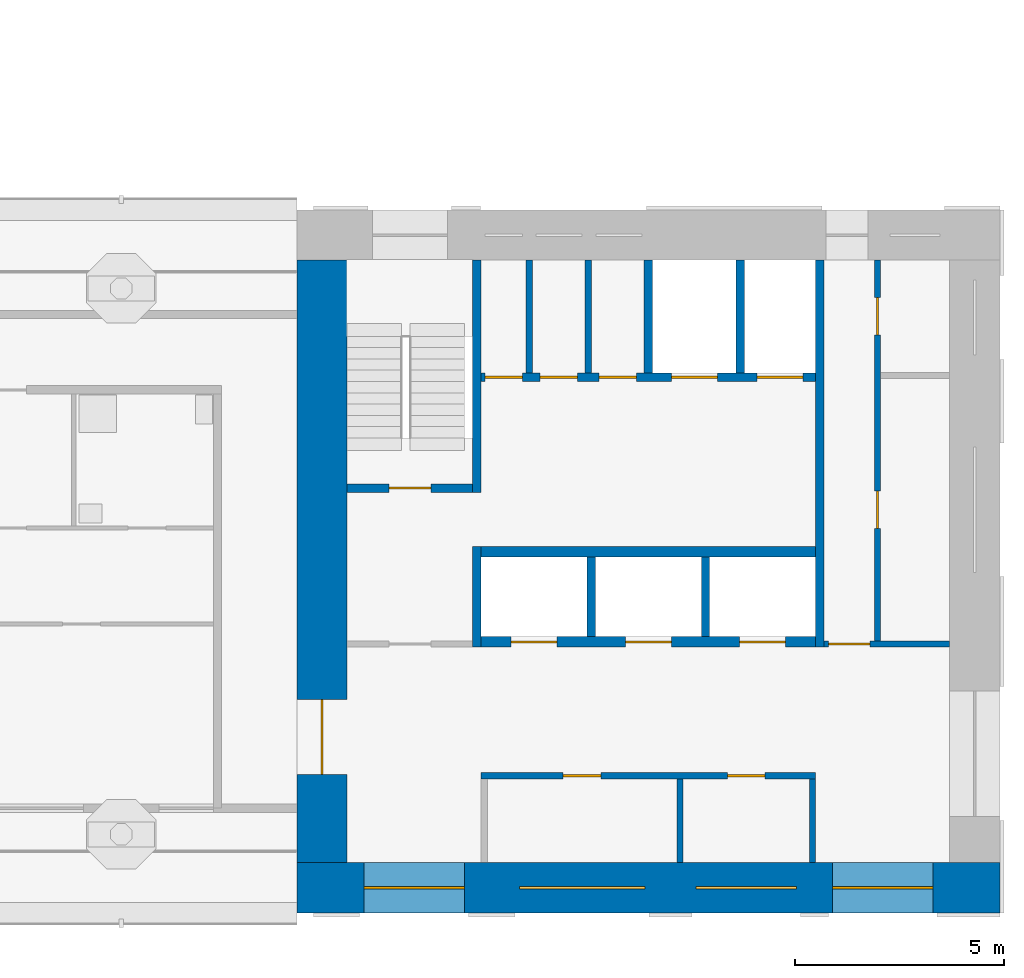
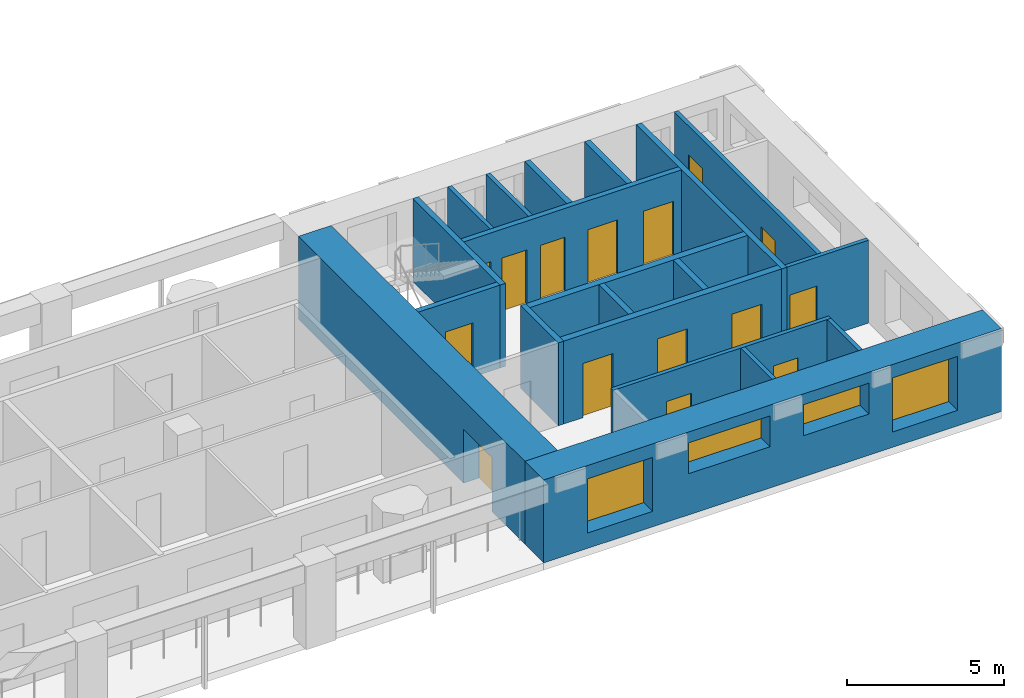
# One storey, part 4 of 12: 20 walls, 15 doors, 4 windows, 19 openings.
"""IFC4 building model written with IfcOpenShell, lengths in metres."""

from ifc_helpers import new_model, si_unit, direction, frame, frame_2d, origin, place, context, subcontext, project, spatial, rectangle, extrude, material, layer, layer_set, type_object, element, fill, save


model = new_model("IFC4")

# Units and contexts
model_context = context("Model", 3, precision=1e-05, world=origin(), true_north=direction((0.0, 1.0)))
body_context = subcontext(model_context, "Body", "Model", "MODEL_VIEW")
ifc_project = project(units=[si_unit("LENGTHUNIT", "METRE"), si_unit("AREAUNIT", "SQUARE_METRE"), si_unit("VOLUMEUNIT", "CUBIC_METRE"), si_unit("PLANEANGLEUNIT", "RADIAN"), si_unit("MASSUNIT", "GRAM", prefix="KILO")], contexts=[model_context])

# Site, building, storey
site_placement = place(None, origin())
site = spatial("IfcSite", under=ifc_project, at=site_placement, CompositionType="ELEMENT")
building_placement = place(site_placement, origin())
building = spatial("IfcBuilding", under=site, at=building_placement, Name="Vermilion Gate Residences", CompositionType="ELEMENT")
storey_placement = place(building_placement, frame((0.0, 0.0, 221.199951171875)))
storey = spatial("IfcBuildingStorey", under=building, at=storey_placement, Name="L57", CompositionType="ELEMENT", Elevation=221.199951171875)

# Walls
ifc_material_1 = material(Name="Masonry blockwork", Category="masonry")
ifc_layer_1 = layer(ifc_material_1, 0.14990234375)
ifc_layer_set_1 = layer_set([ifc_layer_1], Name="BLOCKWORK PARTITION 150 EI 120")
wall_type_1 = type_object("IfcWallType", Name="BLOCKWORK PARTITION 150 EI 120", PredefinedType="PARTITIONING", material=ifc_layer_set_1)
for number, where, z_axis, x_axis, name in (
    (1, (54.324951171875, 9.60009765625, 0.0), (0.0, 0.0, 1.0), (0.0, 1.0, 0.0), "Core room partition A57-RW-E"),
    (2, (51.155029296875, 9.60009765625, 0.0), (0.0, 0.0, 1.0), (0.0, 1.0, 0.0), "Core room partition A57-SR-P0"),
):
    element("IfcWall", number, at=place(storey_placement, frame(where, z_axis=z_axis, x_axis=x_axis)), inside=storey, type_object=wall_type_1, Name=name, PredefinedType="PARTITIONING", context=body_context, shape_type="SweptSolid", body=[
        extrude(rectangle(XDim=2.0, YDim=0.14990234375, at=frame_2d((1.0, 0.0))), origin(), (0.0, 0.0, 1.0), 3.219970703125),
    ])

# Wall, openings, doors
wall_1_placement = place(storey_placement, frame((46.39990234375, 11.675048828125, 0.0), z_axis=(0.0, 0.0, 1.0), x_axis=(1.0, 0.0, 0.0)))
wall_1 = element("IfcWall", 3, at=wall_1_placement, inside=storey, type_object=wall_type_1, Name="Core room partition A57-LR-F", PredefinedType="PARTITIONING", context=body_context, shape_type="SweptSolid", body=[
    extrude(rectangle(XDim=8.0, YDim=0.14990234375, at=frame_2d((4.0, 0.0))), origin(), (0.0, 0.0, 1.0), 3.219970703125),
])
opening_1_placement = place(wall_1_placement, frame((1.965087890625, 0.0, 0.0)))
opening_1 = element("IfcOpeningElement", 4, at=opening_1_placement, cuts=wall_1, Name="Opening DK57002", PredefinedType="OPENING", context=body_context, shape_type="SweptSolid", body=[
    extrude(rectangle(XDim=0.89990234375, YDim=2.10009765625, at=frame_2d((0.449951171875, 1.050048828125))), frame((0.0, 0.0849609375, 0.0), z_axis=(0.0, -1.0, 0.0), x_axis=(1.0, 0.0, 0.0)), (0.0, 0.0, 1.0), 0.169921875),
])
opening_2_placement = place(wall_1_placement, frame((5.889892578125, 0.0, 0.0)))
opening_2 = element("IfcOpeningElement", 5, at=opening_2_placement, cuts=wall_1, Name="Opening DK57003", PredefinedType="OPENING", context=body_context, shape_type="SweptSolid", body=[
    extrude(rectangle(XDim=0.89990234375, YDim=2.10009765625, at=frame_2d((0.449951171875, 1.050048828125))), frame((0.0, 0.0849609375, 0.0), z_axis=(0.0, -1.0, 0.0), x_axis=(1.0, 0.0, 0.0)), (0.0, 0.0, 1.0), 0.169921875),
])
ifc_material_2 = material(Name="Steel", Category="steel")
door_type_1 = type_object("IfcDoorType", Name="SERVICE ROOM DOOR FD60 900 X 2100", OperationType="SINGLE_SWING_LEFT", PredefinedType="DOOR", material=ifc_material_2)
door_1_placement = place(opening_1_placement, frame((0.89990234375, 0.0, 0.0), z_axis=(0.0, 0.0, 1.0), x_axis=(-1.0, 0.0, 0.0)))
door_1 = element("IfcDoor", 6, at=door_1_placement, inside=storey, type_object=door_type_1, Name="Housekeeping store A57", OperationType="SINGLE_SWING_RIGHT", OverallHeight=2.10009765625, OverallWidth=0.89990234375, PredefinedType="DOOR", context=body_context, shape_type="SweptSolid", body=[
    extrude(rectangle(XDim=0.89990234375, YDim=2.10009765625, at=frame_2d((0.449951171875, 1.050048828125))), frame((0.0, 0.02490234375, 0.0), z_axis=(0.0, -1.0, 0.0), x_axis=(1.0, 0.0, 0.0)), (0.0, 0.0, 1.0), 0.050048828125),
])
fill(opening_1, door_1)
door_2_placement = place(opening_2_placement, frame((0.89990234375, 0.0, 0.0), z_axis=(0.0, 0.0, 1.0), x_axis=(-1.0, 0.0, 0.0)))
door_2 = element("IfcDoor", 7, at=door_2_placement, inside=storey, type_object=door_type_1, Name="Fire equipment store A57", OperationType="SINGLE_SWING_RIGHT", OverallHeight=2.10009765625, OverallWidth=0.89990234375, PredefinedType="DOOR", context=body_context, shape_type="SweptSolid", body=[
    extrude(rectangle(XDim=0.89990234375, YDim=2.10009765625, at=frame_2d((0.449951171875, 1.050048828125))), frame((0.0, 0.02490234375, 0.0), z_axis=(0.0, -1.0, 0.0), x_axis=(1.0, 0.0, 0.0)), (0.0, 0.0, 1.0), 0.050048828125),
])
fill(opening_2, door_2)

# Walls
for number, where, z_axis, x_axis, name in (
    (8, (47.554931640625, 21.300048828125, 0.0), (0.0, 0.0, 1.0), (0.0, 1.0, 0.0), "Core room partition A57-NR-P0"),
    (9, (48.965087890625, 21.300048828125, 0.0), (0.0, 0.0, 1.0), (0.0, 1.0, 0.0), "Core room partition A57-NR-P1"),
):
    element("IfcWall", number, at=place(storey_placement, frame(where, z_axis=z_axis, x_axis=x_axis)), inside=storey, type_object=wall_type_1, Name=name, PredefinedType="PARTITIONING", context=body_context, shape_type="SweptSolid", body=[
        extrude(rectangle(XDim=2.699951171875, YDim=0.14990234375, at=frame_2d((1.35009765625, 0.0))), origin(), (0.0, 0.0, 1.0), 3.219970703125),
    ])

# Wall, opening, door
wall_2_placement = place(storey_placement, frame((54.60009765625, 14.824951171875, 0.0), z_axis=(0.0, 0.0, 1.0), x_axis=(1.0, 0.0, 0.0)))
wall_2 = element("IfcWall", 10, at=wall_2_placement, inside=storey, type_object=wall_type_1, Name="Core room partition A57-ES-S", PredefinedType="PARTITIONING", context=body_context, shape_type="SweptSolid", body=[
    extrude(rectangle(XDim=3.0, YDim=0.14990234375, at=frame_2d((1.5, 0.0))), origin(), (0.0, 0.0, 1.0), 3.219970703125),
])
opening_3_placement = place(wall_2_placement, frame((0.10009765625, 0.0, 0.0)))
opening_3 = element("IfcOpeningElement", 11, at=opening_3_placement, cuts=wall_2, Name="Opening DK57014", PredefinedType="OPENING", context=body_context, shape_type="SweptSolid", body=[
    extrude(rectangle(XDim=1.0, YDim=2.10009765625, at=frame_2d((0.5, 1.050048828125))), frame((0.0, 0.0849609375, 0.0), z_axis=(0.0, -1.0, 0.0), x_axis=(1.0, 0.0, 0.0)), (0.0, 0.0, 1.0), 0.169921875),
])
ifc_material_3 = material(Name="Steel", Category="steel")
door_type_2 = type_object("IfcDoorType", Name="FIRE DOOR FD60 1000 X 2100", OperationType="SINGLE_SWING_LEFT", PredefinedType="DOOR", material=ifc_material_3)
door_3_placement = place(opening_3_placement, frame((1.0, 0.0, 0.0), z_axis=(0.0, 0.0, 1.0), x_axis=(-1.0, 0.0, 0.0)))
door_3 = element("IfcDoor", 12, at=door_3_placement, inside=storey, type_object=door_type_2, Name="Service corridor door A57", OperationType="SINGLE_SWING_LEFT", OverallHeight=2.10009765625, OverallWidth=1.0, PredefinedType="DOOR", context=body_context, shape_type="SweptSolid", body=[
    extrude(rectangle(XDim=1.0, YDim=2.10009765625, at=frame_2d((0.5, 1.050048828125))), frame((0.0, 0.02490234375, 0.0), z_axis=(0.0, -1.0, 0.0), x_axis=(1.0, 0.0, 0.0)), (0.0, 0.0, 1.0), 0.050048828125),
])
fill(opening_3, door_3)

# Wall, openings, doors
wall_3_placement = place(storey_placement, frame((55.875, 14.89990234375, 0.0), z_axis=(0.0, 0.0, 1.0), x_axis=(0.0, 1.0, 0.0)))
wall_3 = element("IfcWall", 13, at=wall_3_placement, inside=storey, type_object=wall_type_1, Name="Core room partition A57-ES-W", PredefinedType="PARTITIONING", context=body_context, shape_type="SweptSolid", body=[
    extrude(rectangle(XDim=9.10009765625, YDim=0.14990234375, at=frame_2d((4.550048828125, 0.0))), origin(), (0.0, 0.0, 1.0), 3.219970703125),
])
opening_4_placement = place(wall_3_placement, frame((2.6826171875, 0.0, 0.0)))
opening_4 = element("IfcOpeningElement", 14, at=opening_4_placement, cuts=wall_3, Name="Opening DK57015", PredefinedType="OPENING", context=body_context, shape_type="SweptSolid", body=[
    extrude(rectangle(XDim=0.89990234375, YDim=2.10009765625, at=frame_2d((0.449951171875, 1.050048828125))), frame((0.0, 0.0849609375, 0.0), z_axis=(0.0, -1.0, 0.0), x_axis=(1.0, 0.0, 0.0)), (0.0, 0.0, 1.0), 0.169921875),
])
opening_5_placement = place(wall_3_placement, frame((7.3076171875, 0.0, 0.0)))
opening_5 = element("IfcOpeningElement", 15, at=opening_5_placement, cuts=wall_3, Name="Opening DK57016", PredefinedType="OPENING", context=body_context, shape_type="SweptSolid", body=[
    extrude(rectangle(XDim=0.89990234375, YDim=2.10009765625, at=frame_2d((0.449951171875, 1.050048828125))), frame((0.0, 0.0849609375, 0.0), z_axis=(0.0, -1.0, 0.0), x_axis=(1.0, 0.0, 0.0)), (0.0, 0.0, 1.0), 0.169921875),
])
door_4_placement = place(opening_4_placement, frame((0.89990234375, 0.0, 0.0), z_axis=(0.0, 0.0, 1.0), x_axis=(-1.0, 0.0, 0.0)))
door_4 = element("IfcDoor", 16, at=door_4_placement, inside=storey, type_object=door_type_1, Name="Electrical room A57", OperationType="SINGLE_SWING_LEFT", OverallHeight=2.10009765625, OverallWidth=0.89990234375, PredefinedType="DOOR", context=body_context, shape_type="SweptSolid", body=[
    extrude(rectangle(XDim=0.89990234375, YDim=2.10009765625, at=frame_2d((0.449951171875, 1.050048828125))), frame((0.0, 0.02490234375, 0.0), z_axis=(0.0, -1.0, 0.0), x_axis=(1.0, 0.0, 0.0)), (0.0, 0.0, 1.0), 0.050048828125),
])
fill(opening_4, door_4)
door_5_placement = place(opening_5_placement, frame((0.89990234375, 0.0, 0.0), z_axis=(0.0, 0.0, 1.0), x_axis=(-1.0, 0.0, 0.0)))
door_5 = element("IfcDoor", 17, at=door_5_placement, inside=storey, type_object=door_type_1, Name="Storage room A57", OperationType="SINGLE_SWING_LEFT", OverallHeight=2.10009765625, OverallWidth=0.89990234375, PredefinedType="DOOR", context=body_context, shape_type="SweptSolid", body=[
    extrude(rectangle(XDim=0.89990234375, YDim=2.10009765625, at=frame_2d((0.449951171875, 1.050048828125))), frame((0.0, 0.02490234375, 0.0), z_axis=(0.0, -1.0, 0.0), x_axis=(1.0, 0.0, 0.0)), (0.0, 0.0, 1.0), 0.050048828125),
])
fill(opening_5, door_5)

# Walls
ifc_material_4 = material(Name="Concrete C60", Category="concrete")
ifc_layer_2 = layer(ifc_material_4, 0.199951171875)
ifc_layer_set_2 = layer_set([ifc_layer_2], Name="RC CORE INTERNAL WALL 200 C60")
wall_type_2 = type_object("IfcWallType", Name="RC CORE INTERNAL WALL 200 C60", PredefinedType="SHEAR", material=ifc_layer_set_2)
for number, where, z_axis, x_axis, name in (
    (18, (49.033447265625, 15.0, 0.0), (0.0, 0.0, 1.0), (0.0, 1.0, 0.0), "Core internal wall A57-HR-D1"),
    (19, (51.7666015625, 15.0, 0.0), (0.0, 0.0, 1.0), (0.0, 1.0, 0.0), "Core internal wall A57-HR-D2"),
):
    element("IfcWall", number, at=place(storey_placement, frame(where, z_axis=z_axis, x_axis=x_axis)), inside=storey, type_object=wall_type_2, Name=name, PredefinedType="SHEAR", context=body_context, shape_type="SweptSolid", body=[
        extrude(rectangle(XDim=1.89990234375, YDim=0.199951171875, at=frame_2d((0.949951171875, 0.0))), origin(), (0.0, 0.0, 1.0), 3.219970703125),
    ])
for number, where, z_axis, x_axis, name in (
    (20, (50.39990234375, 21.300048828125, 0.0), (0.0, 0.0, 1.0), (0.0, 1.0, 0.0), "Core internal wall A57-FF-D0"),
    (21, (52.60009765625, 21.300048828125, 0.0), (0.0, 0.0, 1.0), (0.0, 1.0, 0.0), "Core internal wall A57-FF-D1"),
):
    element("IfcWall", number, at=place(storey_placement, frame(where, z_axis=z_axis, x_axis=x_axis)), inside=storey, type_object=wall_type_2, Name=name, PredefinedType="SHEAR", context=body_context, shape_type="SweptSolid", body=[
        extrude(rectangle(XDim=2.699951171875, YDim=0.199951171875, at=frame_2d((1.35009765625, 0.0))), origin(), (0.0, 0.0, 1.0), 3.219970703125),
    ])

# Wall, openings, doors
wall_4_placement = place(storey_placement, frame((46.39990234375, 21.199951171875, 0.0), z_axis=(0.0, 0.0, 1.0), x_axis=(1.0, 0.0, 0.0)))
wall_4 = element("IfcWall", 22, at=wall_4_placement, inside=storey, type_object=wall_type_2, Name="Core internal wall A57-FF-F", PredefinedType="SHEAR", context=body_context, shape_type="SweptSolid", body=[
    extrude(rectangle(XDim=8.0, YDim=0.199951171875, at=frame_2d((4.0, 0.0))), origin(), (0.0, 0.0, 1.0), 3.219970703125),
])
opening_6_placement = place(wall_4_placement, frame((0.090087890625, 0.0, 0.0)))
opening_6 = element("IfcOpeningElement", 23, at=opening_6_placement, cuts=wall_4, Name="Opening DK57007", PredefinedType="OPENING", context=body_context, shape_type="SweptSolid", body=[
    extrude(rectangle(XDim=0.89990234375, YDim=2.10009765625, at=frame_2d((0.449951171875, 1.050048828125))), frame((0.0, 0.10986328125, 0.0), z_axis=(0.0, -1.0, 0.0), x_axis=(1.0, 0.0, 0.0)), (0.0, 0.0, 1.0), 0.219970703125),
])
opening_7_placement = place(wall_4_placement, frame((1.409912109375, 0.0, 0.0)))
opening_7 = element("IfcOpeningElement", 24, at=opening_7_placement, cuts=wall_4, Name="Opening DK57008", PredefinedType="OPENING", context=body_context, shape_type="SweptSolid", body=[
    extrude(rectangle(XDim=0.89990234375, YDim=2.10009765625, at=frame_2d((0.449951171875, 1.050048828125))), frame((0.0, 0.10986328125, 0.0), z_axis=(0.0, -1.0, 0.0), x_axis=(1.0, 0.0, 0.0)), (0.0, 0.0, 1.0), 0.219970703125),
])
opening_8_placement = place(wall_4_placement, frame((2.820068359375, 0.0, 0.0)))
opening_8 = element("IfcOpeningElement", 25, at=opening_8_placement, cuts=wall_4, Name="Opening DK57009", PredefinedType="OPENING", context=body_context, shape_type="SweptSolid", body=[
    extrude(rectangle(XDim=0.89990234375, YDim=2.10009765625, at=frame_2d((0.449951171875, 1.050048828125))), frame((0.0, 0.10986328125, 0.0), z_axis=(0.0, -1.0, 0.0), x_axis=(1.0, 0.0, 0.0)), (0.0, 0.0, 1.0), 0.219970703125),
])
opening_9_placement = place(wall_4_placement, frame((4.550048828125, 0.0, 0.0)))
opening_9 = element("IfcOpeningElement", 26, at=opening_9_placement, cuts=wall_4, Name="Opening LD", PredefinedType="OPENING", context=body_context, shape_type="SweptSolid", body=[
    extrude(rectangle(XDim=1.10009765625, YDim=2.10009765625, at=frame_2d((0.550048828125, 1.050048828125))), frame((0.0, 0.10986328125, 0.0), z_axis=(0.0, -1.0, 0.0), x_axis=(1.0, 0.0, 0.0)), (0.0, 0.0, 1.0), 0.219970703125),
])
opening_10_placement = place(wall_4_placement, frame((6.60009765625, 0.0, 0.0)))
opening_10 = element("IfcOpeningElement", 27, at=opening_10_placement, cuts=wall_4, Name="Opening LD", PredefinedType="OPENING", context=body_context, shape_type="SweptSolid", body=[
    extrude(rectangle(XDim=1.10009765625, YDim=2.10009765625, at=frame_2d((0.550048828125, 1.050048828125))), frame((0.0, 0.10986328125, 0.0), z_axis=(0.0, -1.0, 0.0), x_axis=(1.0, 0.0, 0.0)), (0.0, 0.0, 1.0), 0.219970703125),
])
ifc_material_5 = material(Name="Stainless steel", Category="steel")
door_type_3 = type_object("IfcDoorType", Name="LIFT LANDING DOOR E60 1100 X 2100", OperationType="DOUBLE_DOOR_SLIDING", PredefinedType="DOOR", material=ifc_material_5)
door_6_placement = place(opening_9_placement, origin())
door_6 = element("IfcDoor", 28, at=door_6_placement, inside=storey, type_object=door_type_3, Name="Lift landing door LFA1", OperationType="DOUBLE_DOOR_SLIDING", OverallHeight=2.10009765625, OverallWidth=1.10009765625, PredefinedType="DOOR", context=body_context, shape_type="SweptSolid", body=[
    extrude(rectangle(XDim=1.10009765625, YDim=2.10009765625, at=frame_2d((0.550048828125, 1.050048828125))), frame((0.0, 0.02490234375, 0.0), z_axis=(0.0, -1.0, 0.0), x_axis=(1.0, 0.0, 0.0)), (0.0, 0.0, 1.0), 0.050048828125),
])
fill(opening_9, door_6)
door_7_placement = place(opening_10_placement, origin())
door_7 = element("IfcDoor", 29, at=door_7_placement, inside=storey, type_object=door_type_3, Name="Lift landing door LCA1", OperationType="DOUBLE_DOOR_SLIDING", OverallHeight=2.10009765625, OverallWidth=1.10009765625, PredefinedType="DOOR", context=body_context, shape_type="SweptSolid", body=[
    extrude(rectangle(XDim=1.10009765625, YDim=2.10009765625, at=frame_2d((0.550048828125, 1.050048828125))), frame((0.0, 0.02490234375, 0.0), z_axis=(0.0, -1.0, 0.0), x_axis=(1.0, 0.0, 0.0)), (0.0, 0.0, 1.0), 0.050048828125),
])
fill(opening_10, door_7)
door_8_placement = place(opening_6_placement, origin())
door_8 = element("IfcDoor", 30, at=door_8_placement, inside=storey, type_object=door_type_1, Name="Parcel room A57", OperationType="SINGLE_SWING_RIGHT", OverallHeight=2.10009765625, OverallWidth=0.89990234375, PredefinedType="DOOR", context=body_context, shape_type="SweptSolid", body=[
    extrude(rectangle(XDim=0.89990234375, YDim=2.10009765625, at=frame_2d((0.449951171875, 1.050048828125))), frame((0.0, 0.02490234375, 0.0), z_axis=(0.0, -1.0, 0.0), x_axis=(1.0, 0.0, 0.0)), (0.0, 0.0, 1.0), 0.050048828125),
])
fill(opening_6, door_8)
door_9_placement = place(opening_7_placement, frame((0.89990234375, 0.0, 0.0), z_axis=(0.0, 0.0, 1.0), x_axis=(-1.0, 0.0, 0.0)))
door_9 = element("IfcDoor", 31, at=door_9_placement, inside=storey, type_object=door_type_1, Name="Electrical room A57", OperationType="SINGLE_SWING_RIGHT", OverallHeight=2.10009765625, OverallWidth=0.89990234375, PredefinedType="DOOR", context=body_context, shape_type="SweptSolid", body=[
    extrude(rectangle(XDim=0.89990234375, YDim=2.10009765625, at=frame_2d((0.449951171875, 1.050048828125))), frame((0.0, 0.02490234375, 0.0), z_axis=(0.0, -1.0, 0.0), x_axis=(1.0, 0.0, 0.0)), (0.0, 0.0, 1.0), 0.050048828125),
])
fill(opening_7, door_9)
door_10_placement = place(opening_8_placement, origin())
door_10 = element("IfcDoor", 32, at=door_10_placement, inside=storey, type_object=door_type_1, Name="Housekeeping store A57", OperationType="SINGLE_SWING_LEFT", OverallHeight=2.10009765625, OverallWidth=0.89990234375, PredefinedType="DOOR", context=body_context, shape_type="SweptSolid", body=[
    extrude(rectangle(XDim=0.89990234375, YDim=2.10009765625, at=frame_2d((0.449951171875, 1.050048828125))), frame((0.0, 0.02490234375, 0.0), z_axis=(0.0, -1.0, 0.0), x_axis=(1.0, 0.0, 0.0)), (0.0, 0.0, 1.0), 0.050048828125),
])
fill(opening_8, door_10)

# Walls
wall_5_placement = place(storey_placement, frame((46.300048828125, 14.75, 0.0), z_axis=(0.0, 0.0, 1.0), x_axis=(0.0, 1.0, 0.0)))
element("IfcWall", 33, at=wall_5_placement, inside=storey, type_object=wall_type_2, Name="Core internal wall A57-WDIV1", PredefinedType="SHEAR", context=body_context, shape_type="SweptSolid", body=[
    extrude(rectangle(XDim=2.39990234375, YDim=0.199951171875, at=frame_2d((1.199951171875, 0.0))), origin(), (0.0, 0.0, 1.0), 3.219970703125),
])
wall_6_placement = place(storey_placement, frame((46.300048828125, 18.449951171875, 0.0), z_axis=(0.0, 0.0, 1.0), x_axis=(0.0, 1.0, 0.0)))
element("IfcWall", 34, at=wall_6_placement, inside=storey, type_object=wall_type_2, Name="Core internal wall A57-WDIV2", PredefinedType="SHEAR", context=body_context, shape_type="SweptSolid", body=[
    extrude(rectangle(XDim=5.550048828125, YDim=0.199951171875, at=frame_2d((2.77490234375, 0.0))), origin(), (0.0, 0.0, 1.0), 3.219970703125),
])

# Wall, opening, door
wall_7_placement = place(storey_placement, frame((43.199951171875, 18.550048828125, 0.0), z_axis=(0.0, 0.0, 1.0), x_axis=(1.0, 0.0, 0.0)))
wall_7 = element("IfcWall", 35, at=wall_7_placement, inside=storey, type_object=wall_type_2, Name="Core internal wall A57-STW-S", PredefinedType="SHEAR", context=body_context, shape_type="SweptSolid", body=[
    extrude(rectangle(XDim=3.0, YDim=0.199951171875, at=frame_2d((1.5, 0.0))), origin(), (0.0, 0.0, 1.0), 3.219970703125),
])
opening_11_placement = place(wall_7_placement, frame((1.0, 0.0, 0.0)))
opening_11 = element("IfcOpeningElement", 36, at=opening_11_placement, cuts=wall_7, Name="Opening DK57013", PredefinedType="OPENING", context=body_context, shape_type="SweptSolid", body=[
    extrude(rectangle(XDim=1.0, YDim=2.10009765625, at=frame_2d((0.5, 1.050048828125))), frame((0.0, 0.10986328125, 0.0), z_axis=(0.0, -1.0, 0.0), x_axis=(1.0, 0.0, 0.0)), (0.0, 0.0, 1.0), 0.219970703125),
])
door_11_placement = place(opening_11_placement, origin())
door_11 = element("IfcDoor", 37, at=door_11_placement, inside=storey, type_object=door_type_2, Name="Stair door A57", OperationType="SINGLE_SWING_LEFT", OverallHeight=2.10009765625, OverallWidth=1.0, PredefinedType="DOOR", context=body_context, shape_type="SweptSolid", body=[
    extrude(rectangle(XDim=1.0, YDim=2.10009765625, at=frame_2d((0.5, 1.050048828125))), frame((0.0, 0.02490234375, 0.0), z_axis=(0.0, -1.0, 0.0), x_axis=(1.0, 0.0, 0.0)), (0.0, 0.0, 1.0), 0.050048828125),
])
fill(opening_11, door_11)

# Wall
wall_8_placement = place(storey_placement, frame((54.5, 14.75, 0.0), z_axis=(0.0, 0.0, 1.0), x_axis=(0.0, 1.0, 0.0)))
element("IfcWall", 38, at=wall_8_placement, inside=storey, type_object=wall_type_2, Name="Core internal wall A57-EDIV", PredefinedType="SHEAR", context=body_context, shape_type="SweptSolid", body=[
    extrude(rectangle(XDim=9.25, YDim=0.199951171875, at=frame_2d((4.625, 0.0))), origin(), (0.0, 0.0, 1.0), 3.219970703125),
])

# Wall, opening, door
ifc_material_6 = material(Name="Concrete C50", Category="concrete")
ifc_layer_3 = layer(ifc_material_6, 1.199951171875)
ifc_layer_set_3 = layer_set([ifc_layer_3], Name="RC CORE WALL 1200 C50")
wall_type_3 = type_object("IfcWallType", Name="RC CORE WALL 1200 C50", PredefinedType="SHEAR", material=ifc_layer_set_3)
wall_9_placement = place(storey_placement, frame((42.60009765625, 9.60009765625, 0.0), z_axis=(0.0, 0.0, 1.0), x_axis=(0.0, 1.0, 0.0)))
wall_9 = element("IfcWall", 39, at=wall_9_placement, inside=storey, type_object=wall_type_3, Name="Core wall A57-OUT-FR", PredefinedType="SHEAR", context=body_context, shape_type="SweptSolid", body=[
    extrude(rectangle(XDim=14.39990234375, YDim=1.199951171875, at=frame_2d((7.199951171875, 0.0))), origin(), (0.0, 0.0, 1.0), 3.219970703125),
])
opening_12_placement = place(wall_9_placement, frame((2.10009765625, 0.0, 0.0)))
opening_12 = element("IfcOpeningElement", 40, at=opening_12_placement, cuts=wall_9, Name="Opening DK57001", PredefinedType="OPENING", context=body_context, shape_type="SweptSolid", body=[
    extrude(rectangle(XDim=1.800048828125, YDim=2.10009765625, at=frame_2d((0.89990234375, 1.050048828125))), frame((0.0, 0.60986328125, 0.0), z_axis=(0.0, -1.0, 0.0), x_axis=(1.0, 0.0, 0.0)), (0.0, 0.0, 1.0), 1.219970703125),
])
ifc_material_7 = material(Name="Steel", Category="steel")
door_type_4 = type_object("IfcDoorType", Name="CORE LOBBY DOOR FD60 1800 X 2100", OperationType="DOUBLE_DOOR_SINGLE_SWING", PredefinedType="DOOR", material=ifc_material_7)
door_12_placement = place(opening_12_placement, frame((1.800048828125, 0.0, 0.0), z_axis=(0.0, 0.0, 1.0), x_axis=(-1.0, 0.0, 0.0)))
door_12 = element("IfcDoor", 41, at=door_12_placement, inside=storey, type_object=door_type_4, Name="Core lobby door A57", OperationType="DOUBLE_DOOR_SINGLE_SWING", OverallHeight=2.10009765625, OverallWidth=1.800048828125, PredefinedType="DOOR", context=body_context, shape_type="SweptSolid", body=[
    extrude(rectangle(XDim=1.800048828125, YDim=2.10009765625, at=frame_2d((0.89990234375, 1.050048828125))), frame((0.0, 0.02490234375, 0.0), z_axis=(0.0, -1.0, 0.0), x_axis=(1.0, 0.0, 0.0)), (0.0, 0.0, 1.0), 0.050048828125),
])
fill(opening_12, door_12)

# Wall, openings, windows
ifc_material_8 = material(Name="Concrete C50 red-oxide pigmented", Category="concrete")
ifc_layer_4 = layer(ifc_material_8, 1.199951171875)
ifc_layer_set_4 = layer_set([ifc_layer_4], Name="RC CORE WALL 1200 C50 RED OXIDE")
wall_type_4 = type_object("IfcWallType", Name="RC CORE WALL 1200 C50 RED OXIDE", PredefinedType="SHEAR", material=ifc_layer_set_4)
wall_10_placement = place(storey_placement, frame((42.0, 9.0, 0.0), z_axis=(0.0, 0.0, 1.0), x_axis=(1.0, 0.0, 0.0)))
wall_10 = element("IfcWall", 42, at=wall_10_placement, inside=storey, type_object=wall_type_4, Name="Core wall A57-OUT-B0", PredefinedType="SHEAR", context=body_context, shape_type="SweptSolid", body=[
    extrude(rectangle(XDim=16.800048828125, YDim=1.199951171875, at=frame_2d((8.39990234375, 0.0))), origin(), (0.0, 0.0, 1.0), 3.219970703125),
])
opening_13_placement = place(wall_10_placement, frame((1.60009765625, 0.0, 0.60009765625)))
opening_13 = element("IfcOpeningElement", 43, at=opening_13_placement, cuts=wall_10, Name="Opening WKA5701", PredefinedType="OPENING", context=body_context, shape_type="SweptSolid", body=[
    extrude(rectangle(XDim=2.39990234375, YDim=2.10009765625, at=frame_2d((1.199951171875, 1.050048828125))), frame((0.0, 0.60986328125, 0.0), z_axis=(0.0, -1.0, 0.0), x_axis=(1.0, 0.0, 0.0)), (0.0, 0.0, 1.0), 1.219970703125),
])
opening_14_placement = place(wall_10_placement, frame((5.31494140625, 0.0, 1.60009765625)))
opening_14 = element("IfcOpeningElement", 44, at=opening_14_placement, cuts=wall_10, Name="Opening WKA5702", PredefinedType="OPENING", context=body_context, shape_type="SweptSolid", body=[
    extrude(rectangle(XDim=3.0, YDim=1.199951171875, at=frame_2d((1.5, 0.60009765625))), frame((0.0, 0.60986328125, 0.0), z_axis=(0.0, -1.0, 0.0), x_axis=(1.0, 0.0, 0.0)), (0.0, 0.0, 1.0), 1.219970703125),
])
opening_15_placement = place(wall_10_placement, frame((9.5400390625, 0.0, 1.60009765625)))
opening_15 = element("IfcOpeningElement", 45, at=opening_15_placement, cuts=wall_10, Name="Opening WKA5703", PredefinedType="OPENING", context=body_context, shape_type="SweptSolid", body=[
    extrude(rectangle(XDim=2.39990234375, YDim=1.199951171875, at=frame_2d((1.199951171875, 0.60009765625))), frame((0.0, 0.60986328125, 0.0), z_axis=(0.0, -1.0, 0.0), x_axis=(1.0, 0.0, 0.0)), (0.0, 0.0, 1.0), 1.219970703125),
])
opening_16_placement = place(wall_10_placement, frame((12.800048828125, 0.0, 0.60009765625)))
opening_16 = element("IfcOpeningElement", 46, at=opening_16_placement, cuts=wall_10, Name="Opening WKA5704", PredefinedType="OPENING", context=body_context, shape_type="SweptSolid", body=[
    extrude(rectangle(XDim=2.39990234375, YDim=2.10009765625, at=frame_2d((1.199951171875, 1.050048828125))), frame((0.0, 0.60986328125, 0.0), z_axis=(0.0, -1.0, 0.0), x_axis=(1.0, 0.0, 0.0)), (0.0, 0.0, 1.0), 1.219970703125),
])
ifc_material_9 = material(Name="Aluminium and clear glass", Category="aluminium")
window_type_1 = type_object("IfcWindowType", Name="CORE LOBBY WINDOW 2400 X 2100", PartitioningType="SINGLE_PANEL", PredefinedType="WINDOW", material=ifc_material_9)
window_1_placement = place(opening_13_placement, origin())
window_1 = element("IfcWindow", 47, at=window_1_placement, inside=storey, type_object=window_type_1, Name="Core lobby window", OverallHeight=2.10009765625, OverallWidth=2.39990234375, PartitioningType="SINGLE_PANEL", PredefinedType="WINDOW", context=body_context, shape_type="SweptSolid", body=[
    extrude(rectangle(XDim=2.39990234375, YDim=2.10009765625, at=frame_2d((1.199951171875, 1.050048828125))), frame((0.0, 0.030029296875, 0.0), z_axis=(0.0, -1.0, 0.0), x_axis=(1.0, 0.0, 0.0)), (0.0, 0.0, 1.0), 0.06005859375),
])
fill(opening_13, window_1)
window_2_placement = place(opening_16_placement, origin())
window_2 = element("IfcWindow", 48, at=window_2_placement, inside=storey, type_object=window_type_1, Name="Core lobby window", OverallHeight=2.10009765625, OverallWidth=2.39990234375, PartitioningType="SINGLE_PANEL", PredefinedType="WINDOW", context=body_context, shape_type="SweptSolid", body=[
    extrude(rectangle(XDim=2.39990234375, YDim=2.10009765625, at=frame_2d((1.199951171875, 1.050048828125))), frame((0.0, 0.030029296875, 0.0), z_axis=(0.0, -1.0, 0.0), x_axis=(1.0, 0.0, 0.0)), (0.0, 0.0, 1.0), 0.06005859375),
])
fill(opening_16, window_2)
ifc_material_10 = material(Name="Aluminium frame with louvre blades", Category="aluminium")
window_type_2 = type_object("IfcWindowType", Name="CORE LOUVRE 2400 X 1200", PartitioningType="SINGLE_PANEL", PredefinedType="WINDOW", material=ifc_material_10)
window_3_placement = place(opening_15_placement, origin())
window_3 = element("IfcWindow", 49, at=window_3_placement, inside=storey, type_object=window_type_2, Name="Core louvre", OverallHeight=1.199951171875, OverallWidth=2.39990234375, PartitioningType="SINGLE_PANEL", PredefinedType="WINDOW", context=body_context, shape_type="SweptSolid", body=[
    extrude(rectangle(XDim=2.39990234375, YDim=1.199951171875, at=frame_2d((1.199951171875, 0.60009765625))), frame((0.0, 0.030029296875, 0.0), z_axis=(0.0, -1.0, 0.0), x_axis=(1.0, 0.0, 0.0)), (0.0, 0.0, 1.0), 0.06005859375),
])
fill(opening_15, window_3)
ifc_material_11 = material(Name="Aluminium frame with louvre blades", Category="aluminium")
window_type_3 = type_object("IfcWindowType", Name="CORE LOUVRE 3000 X 1200", PartitioningType="SINGLE_PANEL", PredefinedType="WINDOW", material=ifc_material_11)
window_4_placement = place(opening_14_placement, origin())
window_4 = element("IfcWindow", 50, at=window_4_placement, inside=storey, type_object=window_type_3, Name="Core louvre", OverallHeight=1.199951171875, OverallWidth=3.0, PartitioningType="SINGLE_PANEL", PredefinedType="WINDOW", context=body_context, shape_type="SweptSolid", body=[
    extrude(rectangle(XDim=3.0, YDim=1.199951171875, at=frame_2d((1.5, 0.60009765625))), frame((0.0, 0.030029296875, 0.0), z_axis=(0.0, -1.0, 0.0), x_axis=(1.0, 0.0, 0.0)), (0.0, 0.0, 1.0), 0.06005859375),
])
fill(opening_14, window_4)

# Wall, openings, doors
ifc_material_12 = material(Name="Concrete C60", Category="concrete")
ifc_layer_5 = layer(ifc_material_12, 0.25)
ifc_layer_set_5 = layer_set([ifc_layer_5], Name="RC LIFT SHAFT WALL 250 C60")
wall_type_5 = type_object("IfcWallType", Name="RC LIFT SHAFT WALL 250 C60", PredefinedType="SHEAR", material=ifc_layer_set_5)
wall_11_placement = place(storey_placement, frame((46.39990234375, 14.875, 0.0), z_axis=(0.0, 0.0, 1.0), x_axis=(1.0, 0.0, 0.0)))
wall_11 = element("IfcWall", 51, at=wall_11_placement, inside=storey, type_object=wall_type_5, Name="Lift shaft wall A57-HR-F", PredefinedType="SHEAR", context=body_context, shape_type="SweptSolid", body=[
    extrude(rectangle(XDim=8.0, YDim=0.25, at=frame_2d((4.0, 0.0))), origin(), (0.0, 0.0, 1.0), 3.219970703125),
])
opening_17_placement = place(wall_11_placement, frame((0.716552734375, 0.0, 0.0)))
opening_17 = element("IfcOpeningElement", 52, at=opening_17_placement, cuts=wall_11, Name="Opening LD", PredefinedType="OPENING", context=body_context, shape_type="SweptSolid", body=[
    extrude(rectangle(XDim=1.10009765625, YDim=2.10009765625, at=frame_2d((0.550048828125, 1.050048828125))), frame((0.0, 0.135009765625, 0.0), z_axis=(0.0, -1.0, 0.0), x_axis=(1.0, 0.0, 0.0)), (0.0, 0.0, 1.0), 0.27001953125),
])
opening_18_placement = place(wall_11_placement, frame((3.449951171875, 0.0, 0.0)))
opening_18 = element("IfcOpeningElement", 53, at=opening_18_placement, cuts=wall_11, Name="Opening LD", PredefinedType="OPENING", context=body_context, shape_type="SweptSolid", body=[
    extrude(rectangle(XDim=1.10009765625, YDim=2.10009765625, at=frame_2d((0.550048828125, 1.050048828125))), frame((0.0, 0.135009765625, 0.0), z_axis=(0.0, -1.0, 0.0), x_axis=(1.0, 0.0, 0.0)), (0.0, 0.0, 1.0), 0.27001953125),
])
opening_19_placement = place(wall_11_placement, frame((6.183349609375, 0.0, 0.0)))
opening_19 = element("IfcOpeningElement", 54, at=opening_19_placement, cuts=wall_11, Name="Opening LD", PredefinedType="OPENING", context=body_context, shape_type="SweptSolid", body=[
    extrude(rectangle(XDim=1.10009765625, YDim=2.10009765625, at=frame_2d((0.550048828125, 1.050048828125))), frame((0.0, 0.135009765625, 0.0), z_axis=(0.0, -1.0, 0.0), x_axis=(1.0, 0.0, 0.0)), (0.0, 0.0, 1.0), 0.27001953125),
])
door_13_placement = place(opening_17_placement, origin())
door_13 = element("IfcDoor", 55, at=door_13_placement, inside=storey, type_object=door_type_3, Name="Lift landing door HRA1", OperationType="DOUBLE_DOOR_SLIDING", OverallHeight=2.10009765625, OverallWidth=1.10009765625, PredefinedType="DOOR", context=body_context, shape_type="SweptSolid", body=[
    extrude(rectangle(XDim=1.10009765625, YDim=2.10009765625, at=frame_2d((0.550048828125, 1.050048828125))), frame((0.0, 0.02490234375, 0.0), z_axis=(0.0, -1.0, 0.0), x_axis=(1.0, 0.0, 0.0)), (0.0, 0.0, 1.0), 0.050048828125),
])
fill(opening_17, door_13)
door_14_placement = place(opening_18_placement, origin())
door_14 = element("IfcDoor", 56, at=door_14_placement, inside=storey, type_object=door_type_3, Name="Lift landing door HRA2", OperationType="DOUBLE_DOOR_SLIDING", OverallHeight=2.10009765625, OverallWidth=1.10009765625, PredefinedType="DOOR", context=body_context, shape_type="SweptSolid", body=[
    extrude(rectangle(XDim=1.10009765625, YDim=2.10009765625, at=frame_2d((0.550048828125, 1.050048828125))), frame((0.0, 0.02490234375, 0.0), z_axis=(0.0, -1.0, 0.0), x_axis=(1.0, 0.0, 0.0)), (0.0, 0.0, 1.0), 0.050048828125),
])
fill(opening_18, door_14)
door_15_placement = place(opening_19_placement, origin())
door_15 = element("IfcDoor", 57, at=door_15_placement, inside=storey, type_object=door_type_3, Name="Lift landing door HRA3", OperationType="DOUBLE_DOOR_SLIDING", OverallHeight=2.10009765625, OverallWidth=1.10009765625, PredefinedType="DOOR", context=body_context, shape_type="SweptSolid", body=[
    extrude(rectangle(XDim=1.10009765625, YDim=2.10009765625, at=frame_2d((0.550048828125, 1.050048828125))), frame((0.0, 0.02490234375, 0.0), z_axis=(0.0, -1.0, 0.0), x_axis=(1.0, 0.0, 0.0)), (0.0, 0.0, 1.0), 0.050048828125),
])
fill(opening_19, door_15)

# Wall
wall_12_placement = place(storey_placement, frame((46.39990234375, 17.02490234375, 0.0), z_axis=(0.0, 0.0, 1.0), x_axis=(1.0, 0.0, 0.0)))
element("IfcWall", 58, at=wall_12_placement, inside=storey, type_object=wall_type_5, Name="Lift shaft wall A57-HR-B", PredefinedType="SHEAR", context=body_context, shape_type="SweptSolid", body=[
    extrude(rectangle(XDim=8.0, YDim=0.25, at=frame_2d((4.0, 0.0))), origin(), (0.0, 0.0, 1.0), 3.219970703125),
])

save(model, "model.ifc")
